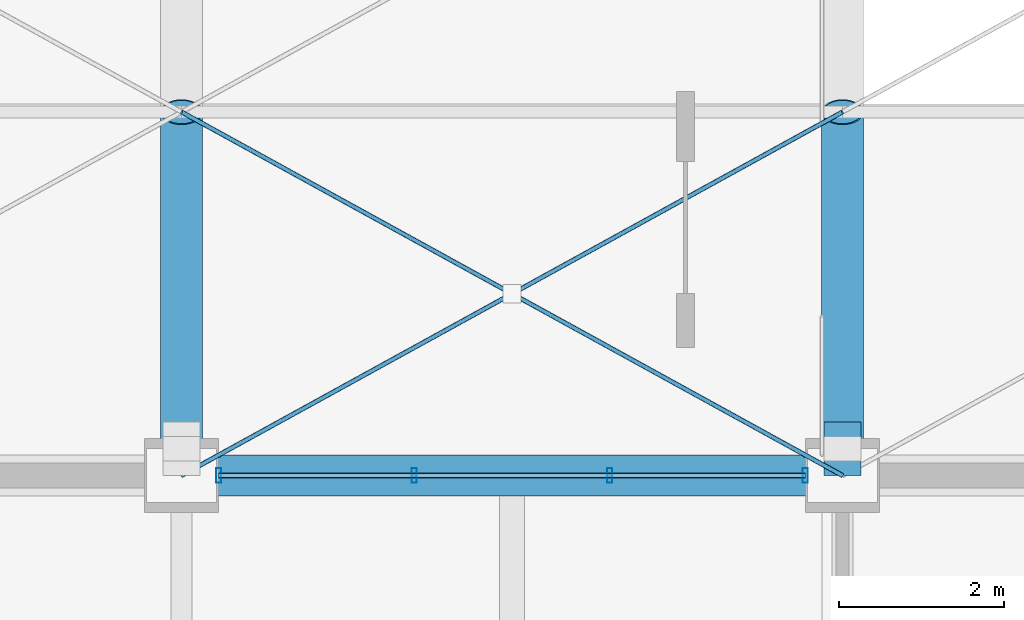
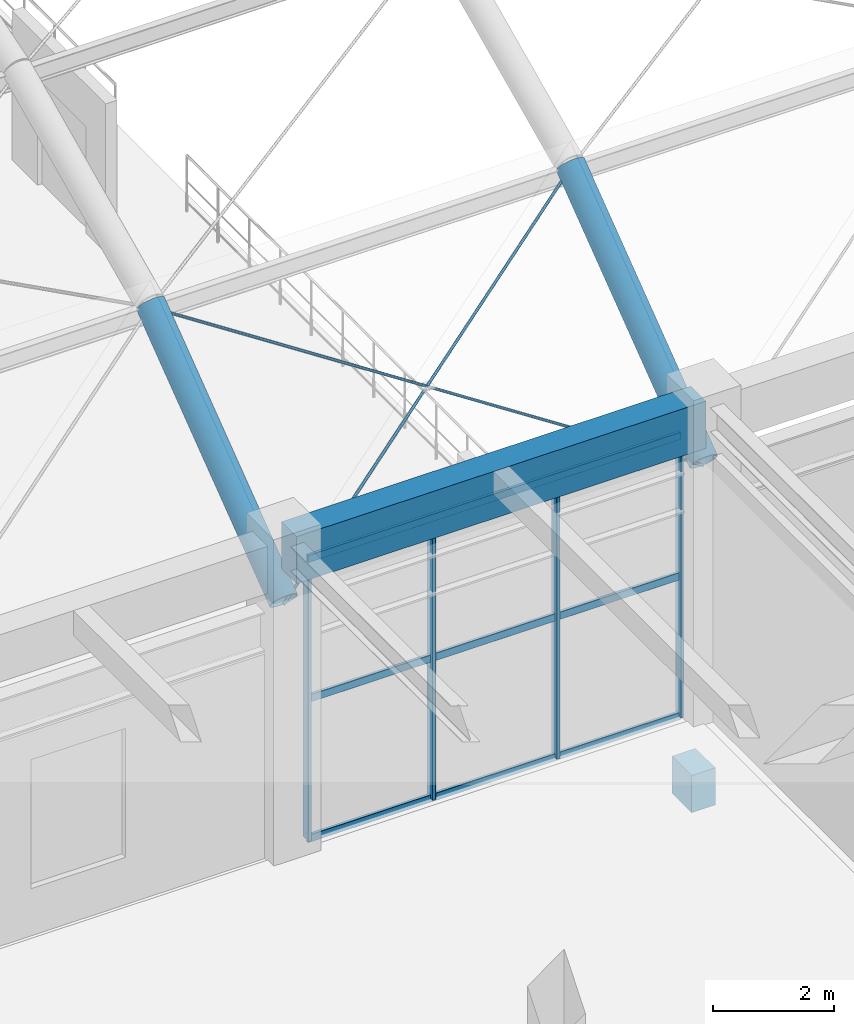
# One storey, part 47 of 163: 10 members, 4 beams, 1 element without a shape of its own.
"""IFC4 building model written with IfcOpenShell, lengths in metres."""

from ifc_helpers import new_model, si_unit, direction, frame, origin, origin_2d, place, context, subcontext, project, spatial, rectangle, hollow_rectangle, circle, hollow_circle, extrude, material, material_profile, profile_set, type_object, element, aggregate, save


model = new_model("IFC4")

# Units and contexts
model_context = context("Model", 3, precision=1e-05, world=origin(), true_north=direction((0.0, 1.0)))
body_context = subcontext(model_context, "Body", "Model", "MODEL_VIEW")
ifc_project = project(units=[si_unit("LENGTHUNIT", "METRE"), si_unit("AREAUNIT", "SQUARE_METRE"), si_unit("VOLUMEUNIT", "CUBIC_METRE"), si_unit("PLANEANGLEUNIT", "RADIAN"), si_unit("MASSUNIT", "GRAM", prefix="KILO")], contexts=[model_context])

# Site, building, storey
site_placement = place(None, origin())
site = spatial("IfcSite", under=ifc_project, at=site_placement, CompositionType="ELEMENT")
building_placement = place(site_placement, origin())
building = spatial("IfcBuilding", under=site, at=building_placement, Name="Varnabhumi Central Station", CompositionType="ELEMENT")
storey_placement = place(building_placement, frame((0.0, 0.0, 9.60009765625)))
storey = spatial("IfcBuildingStorey", under=building, at=storey_placement, Name="L02", CompositionType="ELEMENT", Elevation=9.60009765625)

# Beams
ifc_material_1 = material(Name="Structural steel E350", Category="steel")
ifc_material_profile_1 = material_profile(ifc_material_1, hollow_circle(Radius=0.25390625, WallThickness=0.02001953125, at=origin_2d()), Name="Structural steel E350", Category="steel")
ifc_profile_set_1 = profile_set([ifc_material_profile_1], Name="Structural steel E350")
beam_type_1 = type_object("IfcBeamType", Name="BM-ARCH-CHS508", PredefinedType="BEAM", material=ifc_profile_set_1)
for number, where, z_axis, x_axis, name in (
    (1, (104.0, 36.0, 4.949951171875), (0.0, 0.798178703242, 0.602420748058), (-1.0, 0.0, 0.0), "Departure Concourse Vault Arch Rib 5 Seg 1"),
    (2, (112.0, 36.0, 4.949951171875), (0.0, 0.798178703242, 0.602420748058), (-1.0, 0.0, 0.0), "Departure Concourse Vault Arch Rib 6 Seg 1"),
):
    element("IfcBeam", number, at=place(storey_placement, frame(where, z_axis=z_axis, x_axis=x_axis)), inside=storey, type_object=beam_type_1, Name=name, PredefinedType="BEAM", context=body_context, shape_type="SweptSolid", body=[
        extrude(hollow_circle(Radius=0.25390625, WallThickness=0.02001953125, at=origin_2d()), origin(), (0.0, 0.0, 1.0), 5.512451171875),
    ])
ifc_material_2 = material(Name="Concrete M40", Category="concrete")
ifc_material_profile_2 = material_profile(ifc_material_2, rectangle(XDim=0.449951171875, YDim=0.75, at=origin_2d()), Name="Concrete M40", Category="concrete")
ifc_profile_set_2 = profile_set([ifc_material_profile_2], Name="Concrete M40")
beam_type_2 = type_object("IfcBeamType", Name="BM-RC-450x750", PredefinedType="BEAM", material=ifc_profile_set_2)
beam_1_placement = place(storey_placement, frame((112.0, 36.0, -1.675048828125), z_axis=(0.0, 1.0, 0.0), x_axis=(-1.0, 0.0, 0.0)))
element("IfcBeam", 3, at=beam_1_placement, inside=storey, type_object=beam_type_2, Name="Concourse Bridge 650mm Corbel Seat 112-S", PredefinedType="BEAM", context=body_context, shape_type="SweptSolid", body=[
    extrude(rectangle(XDim=0.449951171875, YDim=0.75, at=origin_2d()), origin(), (0.0, 0.0, 1.0), 0.64990234375),
])
ifc_material_profile_3 = material_profile(ifc_material_2, rectangle(XDim=0.5, YDim=0.949951171875, at=origin_2d()), Name="Concrete M40", Category="concrete")
ifc_profile_set_3 = profile_set([ifc_material_profile_3], Name="Concrete M40")
beam_type_3 = type_object("IfcBeamType", Name="BM-RC-950x500", PredefinedType="BEAM", material=ifc_profile_set_3)
beam_2_placement = place(storey_placement, frame((104.10009765625, 36.0, 5.875), z_axis=(1.0, 0.0, 0.0), x_axis=(0.0, 1.0, 0.0)))
element("IfcBeam", 4, at=beam_2_placement, inside=storey, type_object=beam_type_3, Name="Beam L02-E:14-15", PredefinedType="BEAM", context=body_context, shape_type="SweptSolid", body=[
    extrude(rectangle(XDim=0.5, YDim=0.949951171875, at=origin_2d()), origin(), (0.0, 0.0, 1.0), 7.7998046875),
])

# Curtain wall, members
ifc_material_3 = material(Name="Anodised aluminium 6063-T6", Category="aluminium")
curtain_wall_type = type_object("IfcCurtainWallType", Name="CW-SPINE-SCREEN-L2", PredefinedType="NOTDEFINED", material=ifc_material_3)
curtain_wall_placement = place(storey_placement, origin())
curtain_wall = element("IfcCurtainWall", 5, at=curtain_wall_placement, inside=storey, type_object=curtain_wall_type, Name="Curtain Wall CW-SS209", PredefinedType="NOTDEFINED")
ifc_material_profile_4 = material_profile(ifc_material_3, hollow_rectangle(XDim=0.06494140625, YDim=0.179931640625, WallThickness=0.00390625, InnerFilletRadius=0.001953125, OuterFilletRadius=0.006103515625, at=origin_2d()), Name="Anodised aluminium 6063-T6", Category="aluminium")
ifc_profile_set_4 = profile_set([ifc_material_profile_4], Name="Anodised aluminium 6063-T6")
member_type_1 = type_object("IfcMemberType", Name="CW-MUL-180", PredefinedType="MULLION", material=ifc_profile_set_4)
member_1_placement = place(storey_placement, frame((104.449951171875, 36.0, 0.0), z_axis=(0.0, 0.0, 1.0), x_axis=(1.0, 0.0, 0.0)))
member_1 = element("IfcMember", 6, at=member_1_placement, type_object=member_type_1, Name="Curtain Wall Mullion CW-SS209-M1", PredefinedType="MULLION", context=body_context, shape_type="SweptSolid", body=[
    extrude(hollow_rectangle(XDim=0.06494140625, YDim=0.179931640625, WallThickness=0.00390625, InnerFilletRadius=0.001953125, OuterFilletRadius=0.006103515625, at=origin_2d()), origin(), (0.0, 0.0, 1.0), 5.639892578125),
])
member_2_placement = place(storey_placement, frame((106.816650390625, 36.0, 0.0), z_axis=(0.0, 0.0, 1.0), x_axis=(1.0, 0.0, 0.0)))
member_2 = element("IfcMember", 7, at=member_2_placement, type_object=member_type_1, Name="Curtain Wall Mullion CW-SS209-M2", PredefinedType="MULLION", context=body_context, shape_type="SweptSolid", body=[
    extrude(hollow_rectangle(XDim=0.06494140625, YDim=0.179931640625, WallThickness=0.00390625, InnerFilletRadius=0.001953125, OuterFilletRadius=0.006103515625, at=origin_2d()), origin(), (0.0, 0.0, 1.0), 5.639892578125),
])
member_3_placement = place(storey_placement, frame((109.183349609375, 36.0, 0.0), z_axis=(0.0, 0.0, 1.0), x_axis=(1.0, 0.0, 0.0)))
member_3 = element("IfcMember", 8, at=member_3_placement, type_object=member_type_1, Name="Curtain Wall Mullion CW-SS209-M3", PredefinedType="MULLION", context=body_context, shape_type="SweptSolid", body=[
    extrude(hollow_rectangle(XDim=0.06494140625, YDim=0.179931640625, WallThickness=0.00390625, InnerFilletRadius=0.001953125, OuterFilletRadius=0.006103515625, at=origin_2d()), origin(), (0.0, 0.0, 1.0), 5.639892578125),
])
member_4_placement = place(storey_placement, frame((111.550048828125, 36.0, 0.0), z_axis=(0.0, 0.0, 1.0), x_axis=(1.0, 0.0, 0.0)))
member_4 = element("IfcMember", 9, at=member_4_placement, type_object=member_type_1, Name="Curtain Wall Mullion CW-SS209-M4", PredefinedType="MULLION", context=body_context, shape_type="SweptSolid", body=[
    extrude(hollow_rectangle(XDim=0.06494140625, YDim=0.179931640625, WallThickness=0.00390625, InnerFilletRadius=0.001953125, OuterFilletRadius=0.006103515625, at=origin_2d()), origin(), (0.0, 0.0, 1.0), 5.639892578125),
])
ifc_material_profile_5 = material_profile(ifc_material_3, hollow_rectangle(XDim=0.06005859375, YDim=0.14990234375, WallThickness=0.00390625, InnerFilletRadius=0.001953125, OuterFilletRadius=0.006103515625, at=origin_2d()), Name="Anodised aluminium 6063-T6", Category="aluminium")
ifc_profile_set_5 = profile_set([ifc_material_profile_5], Name="Anodised aluminium 6063-T6")
member_type_2 = type_object("IfcMemberType", Name="CW-TR-150", PredefinedType="USERDEFINED", material=ifc_profile_set_5)
member_5_placement = place(storey_placement, frame((104.449951171875, 36.0, 0.0), z_axis=(1.0, 0.0, 0.0), x_axis=(0.0, 1.0, 0.0)))
member_5 = element("IfcMember", 10, at=member_5_placement, type_object=member_type_2, Name="Curtain Wall Transom CW-SS209-T1", ObjectType="TRANSOM", PredefinedType="USERDEFINED", context=body_context, shape_type="SweptSolid", body=[
    extrude(hollow_rectangle(XDim=0.06005859375, YDim=0.14990234375, WallThickness=0.00390625, InnerFilletRadius=0.001953125, OuterFilletRadius=0.006103515625, at=origin_2d()), origin(), (0.0, 0.0, 1.0), 7.10009765625),
])
member_6_placement = place(storey_placement, frame((104.449951171875, 36.0, 2.81982421875), z_axis=(1.0, 0.0, 0.0), x_axis=(0.0, 1.0, 0.0)))
member_6 = element("IfcMember", 11, at=member_6_placement, type_object=member_type_2, Name="Curtain Wall Transom CW-SS209-T2", ObjectType="TRANSOM", PredefinedType="USERDEFINED", context=body_context, shape_type="SweptSolid", body=[
    extrude(hollow_rectangle(XDim=0.06005859375, YDim=0.14990234375, WallThickness=0.00390625, InnerFilletRadius=0.001953125, OuterFilletRadius=0.006103515625, at=origin_2d()), origin(), (0.0, 0.0, 1.0), 7.10009765625),
])
member_7_placement = place(storey_placement, frame((104.449951171875, 36.0, 5.639892578125), z_axis=(1.0, 0.0, 0.0), x_axis=(0.0, 1.0, 0.0)))
member_7 = element("IfcMember", 12, at=member_7_placement, type_object=member_type_2, Name="Curtain Wall Transom CW-SS209-T3", ObjectType="TRANSOM", PredefinedType="USERDEFINED", context=body_context, shape_type="SweptSolid", body=[
    extrude(hollow_rectangle(XDim=0.06005859375, YDim=0.14990234375, WallThickness=0.00390625, InnerFilletRadius=0.001953125, OuterFilletRadius=0.006103515625, at=origin_2d()), origin(), (0.0, 0.0, 1.0), 7.10009765625),
])
aggregate(curtain_wall, [member_1, member_2, member_3, member_4, member_5, member_6, member_7])

# Members
ifc_material_4 = material(Name="Spiral-strand steel S1570", Category="steel")
ifc_material_profile_6 = material_profile(ifc_material_4, circle(Radius=0.027099609375, at=origin_2d()), Name="Spiral-strand steel S1570", Category="steel")
ifc_profile_set_6 = profile_set([ifc_material_profile_6], Name="Spiral-strand steel S1570")
member_type_3 = type_object("IfcMemberType", Name="MBR-CABLE-D54", PredefinedType="USERDEFINED", material=ifc_profile_set_6)
member_8_placement = place(storey_placement, frame((104.0, 36.0, 4.869873046875), z_axis=(0.823437214719, 0.452880416372, 0.341833997553), x_axis=(-0.481910537812, 0.876220425204, 0.0)))
element("IfcMember", 13, at=member_8_placement, inside=storey, type_object=member_type_3, Name="Departure Concourse Vault Cable-Net Tie B5-P1A", ObjectType="TENSION CABLE", PredefinedType="USERDEFINED", context=body_context, shape_type="SweptSolid", body=[
    extrude(circle(Radius=0.027099609375, at=origin_2d()), origin(), (0.0, 0.0, 1.0), 9.71533203125),
])
for number, where, z_axis, x_axis, name in (
    (14, (104.0, 40.39990234375, 8.19091796875), (0.823430141181, -0.452876526012, -0.341856190205), (0.481910537812, 0.876220425204, 0.0), "Departure Concourse Vault Cable-Net Split Tie B5-P1B1"),
    (15, (108.0, 38.199951171875, 6.5302734375), (0.823444287919, -0.452884306545, -0.34181180433), (0.481910537812, 0.876220425204, 0.0), "Departure Concourse Vault Cable-Net Split Tie B5-P1B2"),
):
    element("IfcMember", number, at=place(storey_placement, frame(where, z_axis=z_axis, x_axis=x_axis)), inside=storey, type_object=member_type_3, Name=name, ObjectType="TENSION CABLE", PredefinedType="USERDEFINED", context=body_context, shape_type="SweptSolid", body=[
        extrude(circle(Radius=0.027099609375, at=origin_2d()), origin(), (0.0, 0.0, 1.0), 4.857666015625),
    ])

save(model, "model.ifc")
